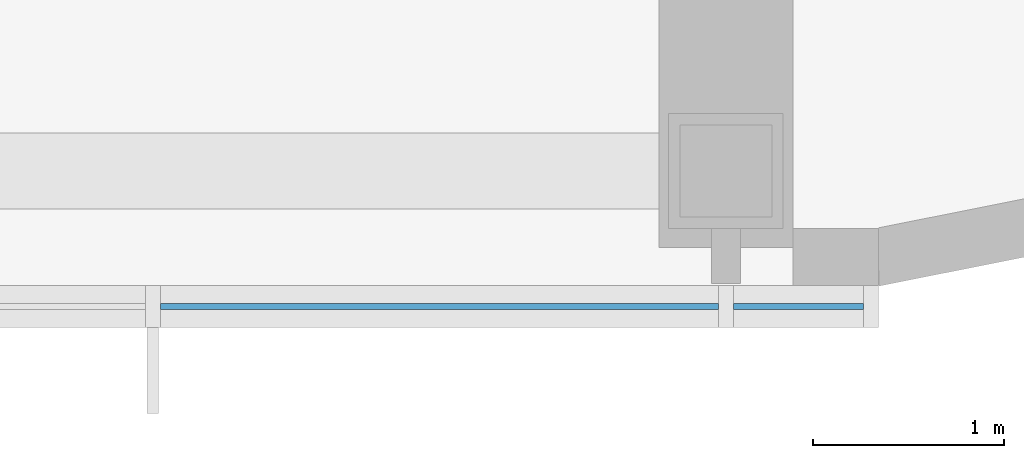
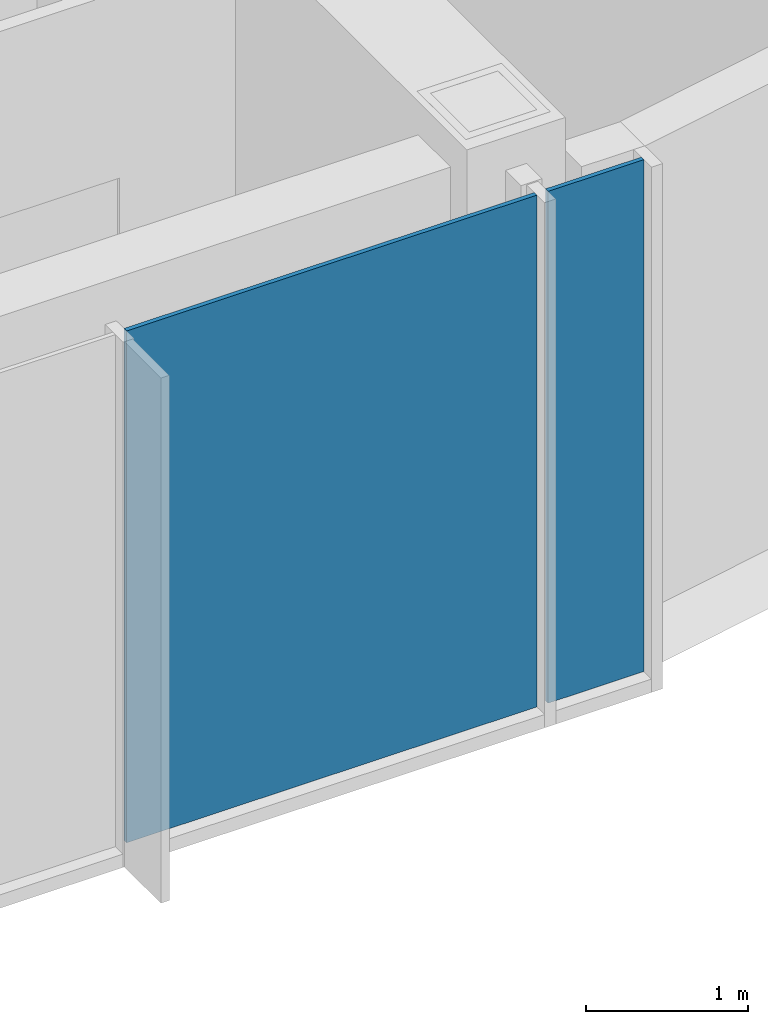
# One storey, part 10 of 28: 2 plates, 1 element without a shape of its own.
"""IFC4 building model written with IfcOpenShell, lengths in metres."""

from ifc_helpers import new_model, si_unit, direction, frame, origin, origin_2d, place, context, subcontext, project, spatial, rectangle, extrude, material, layer, layer_set, type_object, element, aggregate, save


model = new_model("IFC4")

# Units and contexts
model_context = context("Model", 3, precision=1e-05, world=origin(), true_north=direction((0.0, 1.0)))
body_context = subcontext(model_context, "Body", "Model", "MODEL_VIEW")
ifc_project = project(units=[si_unit("LENGTHUNIT", "METRE"), si_unit("AREAUNIT", "SQUARE_METRE"), si_unit("VOLUMEUNIT", "CUBIC_METRE"), si_unit("PLANEANGLEUNIT", "RADIAN"), si_unit("MASSUNIT", "GRAM", prefix="KILO")], contexts=[model_context])

# Site, building, storey
site_placement = place(None, origin())
site = spatial("IfcSite", under=ifc_project, at=site_placement, CompositionType="ELEMENT")
building_placement = place(site_placement, origin())
building = spatial("IfcBuilding", under=site, at=building_placement, Name="Orbita Commons", CompositionType="ELEMENT")
storey_placement = place(building_placement, frame((0.0, 0.0, 216.550048828125)))
storey = spatial("IfcBuildingStorey", under=building, at=storey_placement, Name="L53", CompositionType="ELEMENT", Elevation=216.550048828125)

# Curtain wall, plates
ifc_material_1 = material(Name="Anodised aluminium frame, pale silver", Category="aluminium")
curtain_wall_type = type_object("IfcCurtainWallType", Name="Unitised curtain wall CW-U, full-height vision", PredefinedType="NOTDEFINED", material=ifc_material_1)
curtain_wall_placement = place(storey_placement, origin())
curtain_wall = element("IfcCurtainWall", 1, at=curtain_wall_placement, inside=storey, type_object=curtain_wall_type, Name="Curtain wall south L53", PredefinedType="NOTDEFINED")
ifc_material_2 = material(Name="Clear double glazing", Category="glass")
ifc_layer = layer(ifc_material_2, 0.031982421875)
ifc_layer_set = layer_set([ifc_layer], Name="Clear double glazing")
plate_type = type_object("IfcPlateType", Name="Full-height vision panel, clear glazing 32", PredefinedType="CURTAIN_PANEL", material=ifc_layer_set)
plate_1_placement = place(storey_placement, frame((64.5, 10.889892578125, -0.35009765625), z_axis=(0.0, 0.0, 1.0), x_axis=(1.0, 0.0, 0.0)))
plate_1 = element("IfcPlate", 2, at=plate_1_placement, type_object=plate_type, Name="Panel 17.1 CW-L53-S", PredefinedType="CURTAIN_PANEL", context=body_context, shape_type="SweptSolid", body=[
    extrude(rectangle(XDim=2.919921875, YDim=0.031982421875, at=origin_2d()), origin(), (0.0, 0.0, 1.0), 3.85009765625),
])
plate_2_placement = place(storey_placement, frame((66.3798828125, 10.889892578125, -0.35009765625), z_axis=(0.0, 0.0, 1.0), x_axis=(1.0, 0.0, 0.0)))
plate_2 = element("IfcPlate", 3, at=plate_2_placement, type_object=plate_type, Name="Panel 18.1 CW-L53-S", PredefinedType="CURTAIN_PANEL", context=body_context, shape_type="SweptSolid", body=[
    extrude(rectangle(XDim=0.679931640625, YDim=0.031982421875, at=origin_2d()), origin(), (0.0, 0.0, 1.0), 3.85009765625),
])
aggregate(curtain_wall, [plate_1, plate_2])

save(model, "model.ifc")
